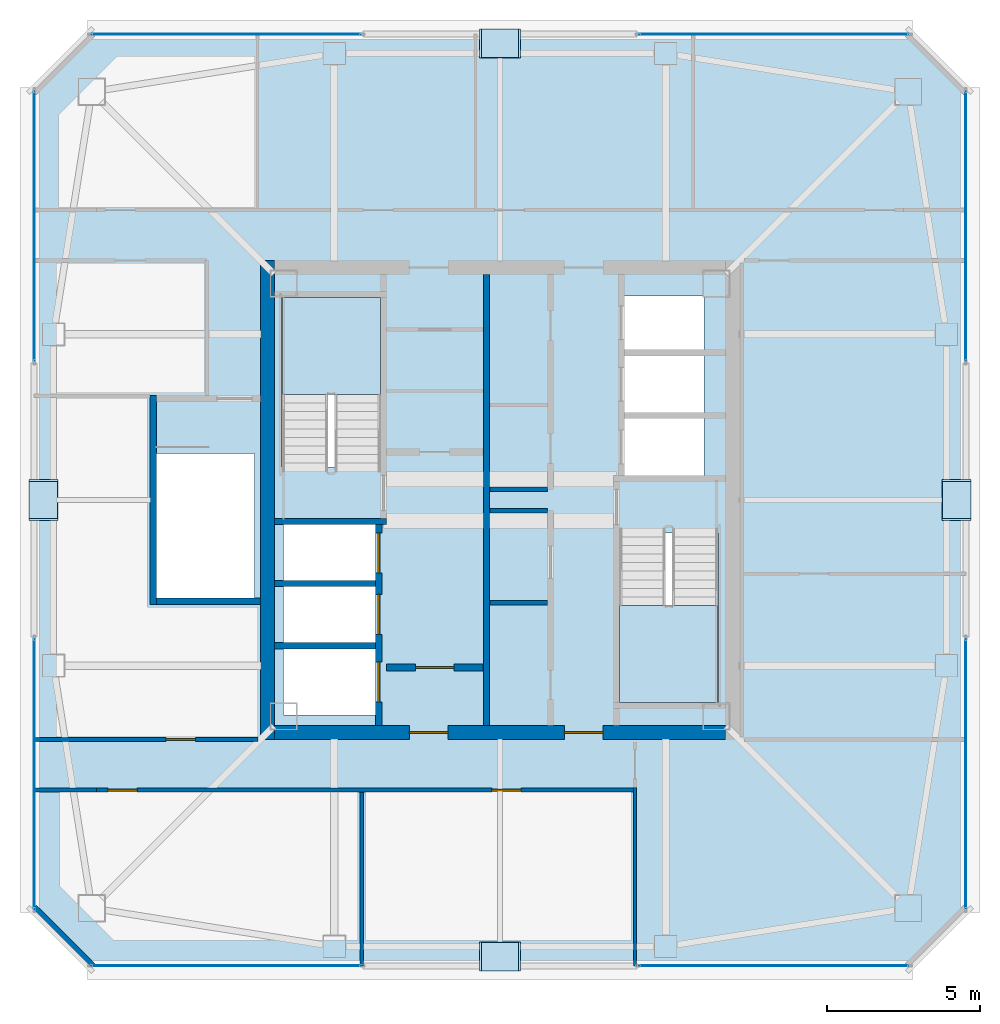
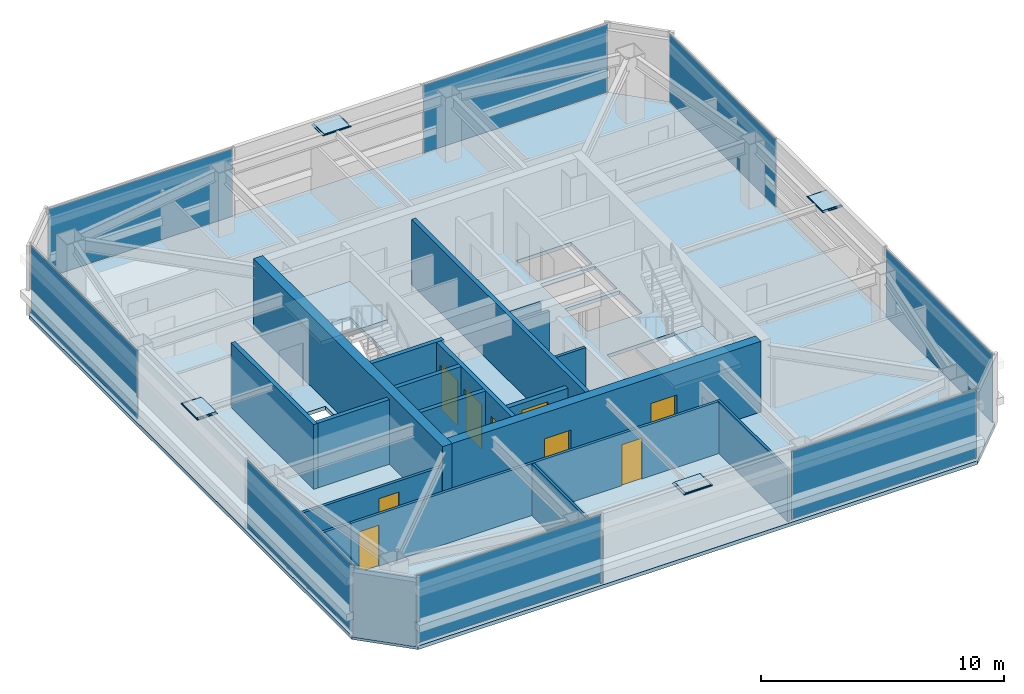
# One storey, part 13 of 18: 19 walls, 16 plates, 9 doors, 3 slabs, 9 openings, 10 elements without a shape of their own.
"""IFC4 building model written with IfcOpenShell, lengths in metres."""

from ifc_helpers import new_model, si_unit, direction, frame, frame_2d, origin, origin_2d, place, context, subcontext, project, spatial, polyline, rectangle, outline, extrude, material, layer, layer_set, type_object, element, fill, aggregate, save


model = new_model("IFC4")

# Units and contexts
model_context = context("Model", 3, precision=1e-05, world=origin(), true_north=direction((0.0, 1.0)))
body_context = subcontext(model_context, "Body", "Model", "MODEL_VIEW")
ifc_project = project(units=[si_unit("LENGTHUNIT", "METRE"), si_unit("AREAUNIT", "SQUARE_METRE"), si_unit("VOLUMEUNIT", "CUBIC_METRE"), si_unit("PLANEANGLEUNIT", "RADIAN"), si_unit("MASSUNIT", "GRAM", prefix="KILO")], contexts=[model_context])

# Site, building, storey
site_placement = place(None, origin())
site = spatial("IfcSite", under=ifc_project, at=site_placement, CompositionType="ELEMENT")
building_placement = place(site_placement, origin())
building = spatial("IfcBuilding", under=site, at=building_placement, Name="Tashvorn Skyway Center", CompositionType="ELEMENT")
storey_placement = place(building_placement, frame((0.0, 0.0, 274.050048828125)))
storey = spatial("IfcBuildingStorey", under=building, at=storey_placement, Name="L74", CompositionType="ELEMENT", Elevation=274.050048828125)

# Curtain wall, plate
ifc_material_1 = material(Name="Thermally broken bronze-anodized aluminium 6063-T6", Category="aluminium")
curtain_wall_type = type_object("IfcCurtainWallType", Name="CW-CW-Z5", PredefinedType="NOTDEFINED", material=ifc_material_1)
curtain_wall_1_placement = place(storey_placement, origin())
curtain_wall_1 = element("IfcCurtainWall", 1, at=curtain_wall_1_placement, inside=storey, type_object=curtain_wall_type, Name="Tower 1 L74 South Unitised Curtain Wall Glazing Group 1", PredefinedType="NOTDEFINED")
ifc_material_2 = material(Name="Low-E solar-control double insulating safety glass", Category="glass")
ifc_layer_1 = layer(ifc_material_2, 0.031982421875)
ifc_layer_set_1 = layer_set([ifc_layer_1], Name="Low-E solar-control double insulating safety glass")
plate_type_1 = type_object("IfcPlateType", Name="CWP-CW-Z5", PredefinedType="CURTAIN_PANEL", material=ifc_layer_set_1)
plate_1_placement = place(storey_placement, frame((50.919921875, 16.820068359375, 0.06982421875), z_axis=(0.0, 0.0, 1.0), x_axis=(-1.0, 0.0, 0.0)))
plate_1 = element("IfcPlate", 2, at=plate_1_placement, type_object=plate_type_1, Name="CW-Z5 panel 1.1", PredefinedType="CURTAIN_PANEL", context=body_context, shape_type="SweptSolid", body=[
    extrude(rectangle(XDim=8.780029296875, YDim=0.031982421875, at=origin_2d()), origin(), (0.0, 0.0, 1.0), 3.409912109375),
])
aggregate(curtain_wall_1, [plate_1])

curtain_wall_2_placement = place(storey_placement, origin())
curtain_wall_2 = element("IfcCurtainWall", 3, at=curtain_wall_2_placement, inside=storey, type_object=curtain_wall_type, Name="Tower 1 L74 South Unitised Curtain Wall Glazing Group 2", PredefinedType="NOTDEFINED")
plate_2_placement = place(storey_placement, frame((33.080078125, 16.820068359375, 0.06982421875), z_axis=(0.0, 0.0, 1.0), x_axis=(-1.0, 0.0, 0.0)))
plate_2 = element("IfcPlate", 4, at=plate_2_placement, type_object=plate_type_1, Name="CW-Z5 panel 1.1", PredefinedType="CURTAIN_PANEL", context=body_context, shape_type="SweptSolid", body=[
    extrude(rectangle(XDim=8.780029296875, YDim=0.031982421875, at=origin_2d()), origin(), (0.0, 0.0, 1.0), 3.409912109375),
])
aggregate(curtain_wall_2, [plate_2])

curtain_wall_3_placement = place(storey_placement, origin())
curtain_wall_3 = element("IfcCurtainWall", 5, at=curtain_wall_3_placement, inside=storey, type_object=curtain_wall_type, Name="Tower 1 L74 West Unitised Curtain Wall Glazing Group 1", PredefinedType="NOTDEFINED")
plate_3_placement = place(storey_placement, frame((26.820068359375, 23.080078125, 0.06982421875), z_axis=(0.0, 0.0, 1.0), x_axis=(0.0, 1.0, 0.0)))
plate_3 = element("IfcPlate", 6, at=plate_3_placement, type_object=plate_type_1, Name="CW-Z5 panel 1.1", PredefinedType="CURTAIN_PANEL", context=body_context, shape_type="SweptSolid", body=[
    extrude(rectangle(XDim=8.780029296875, YDim=0.031982421875, at=origin_2d()), origin(), (0.0, 0.0, 1.0), 3.409912109375),
])
aggregate(curtain_wall_3, [plate_3])

curtain_wall_4_placement = place(storey_placement, origin())
curtain_wall_4 = element("IfcCurtainWall", 7, at=curtain_wall_4_placement, inside=storey, type_object=curtain_wall_type, Name="Tower 1 L74 West Unitised Curtain Wall Glazing Group 2", PredefinedType="NOTDEFINED")
plate_4_placement = place(storey_placement, frame((26.820068359375, 40.919921875, 0.06982421875), z_axis=(0.0, 0.0, 1.0), x_axis=(0.0, 1.0, 0.0)))
plate_4 = element("IfcPlate", 8, at=plate_4_placement, type_object=plate_type_1, Name="CW-Z5 panel 1.1", PredefinedType="CURTAIN_PANEL", context=body_context, shape_type="SweptSolid", body=[
    extrude(rectangle(XDim=8.780029296875, YDim=0.031982421875, at=origin_2d()), origin(), (0.0, 0.0, 1.0), 3.409912109375),
])
aggregate(curtain_wall_4, [plate_4])

curtain_wall_5_placement = place(storey_placement, origin())
curtain_wall_5 = element("IfcCurtainWall", 9, at=curtain_wall_5_placement, inside=storey, type_object=curtain_wall_type, Name="Tower 1 L74 North Unitised Curtain Wall Glazing Group 1", PredefinedType="NOTDEFINED")
plate_5_placement = place(storey_placement, frame((33.080078125, 47.179931640625, 0.06982421875), z_axis=(0.0, 0.0, 1.0), x_axis=(1.0, 0.0, 0.0)))
plate_5 = element("IfcPlate", 10, at=plate_5_placement, type_object=plate_type_1, Name="CW-Z5 panel 1.1", PredefinedType="CURTAIN_PANEL", context=body_context, shape_type="SweptSolid", body=[
    extrude(rectangle(XDim=8.780029296875, YDim=0.031982421875, at=origin_2d()), origin(), (0.0, 0.0, 1.0), 3.409912109375),
])
aggregate(curtain_wall_5, [plate_5])

curtain_wall_6_placement = place(storey_placement, origin())
curtain_wall_6 = element("IfcCurtainWall", 11, at=curtain_wall_6_placement, inside=storey, type_object=curtain_wall_type, Name="Tower 1 L74 North Unitised Curtain Wall Glazing Group 2", PredefinedType="NOTDEFINED")
plate_6_placement = place(storey_placement, frame((50.919921875, 47.179931640625, 0.06982421875), z_axis=(0.0, 0.0, 1.0), x_axis=(1.0, 0.0, 0.0)))
plate_6 = element("IfcPlate", 12, at=plate_6_placement, type_object=plate_type_1, Name="CW-Z5 panel 1.1", PredefinedType="CURTAIN_PANEL", context=body_context, shape_type="SweptSolid", body=[
    extrude(rectangle(XDim=8.780029296875, YDim=0.031982421875, at=origin_2d()), origin(), (0.0, 0.0, 1.0), 3.409912109375),
])
aggregate(curtain_wall_6, [plate_6])

curtain_wall_7_placement = place(storey_placement, origin())
curtain_wall_7 = element("IfcCurtainWall", 13, at=curtain_wall_7_placement, inside=storey, type_object=curtain_wall_type, Name="Tower 1 L74 East Unitised Curtain Wall Glazing Group 1", PredefinedType="NOTDEFINED")
plate_7_placement = place(storey_placement, frame((57.179931640625, 40.919921875, 0.06982421875), z_axis=(0.0, 0.0, 1.0), x_axis=(0.0, -1.0, 0.0)))
plate_7 = element("IfcPlate", 14, at=plate_7_placement, type_object=plate_type_1, Name="CW-Z5 panel 1.1", PredefinedType="CURTAIN_PANEL", context=body_context, shape_type="SweptSolid", body=[
    extrude(rectangle(XDim=8.780029296875, YDim=0.031982421875, at=origin_2d()), origin(), (0.0, 0.0, 1.0), 3.409912109375),
])
aggregate(curtain_wall_7, [plate_7])

curtain_wall_8_placement = place(storey_placement, origin())
curtain_wall_8 = element("IfcCurtainWall", 15, at=curtain_wall_8_placement, inside=storey, type_object=curtain_wall_type, Name="Tower 1 L74 East Unitised Curtain Wall Glazing Group 2", PredefinedType="NOTDEFINED")
plate_8_placement = place(storey_placement, frame((57.179931640625, 23.080078125, 0.06982421875), z_axis=(0.0, 0.0, 1.0), x_axis=(0.0, -1.0, 0.0)))
plate_8 = element("IfcPlate", 16, at=plate_8_placement, type_object=plate_type_1, Name="CW-Z5 panel 1.1", PredefinedType="CURTAIN_PANEL", context=body_context, shape_type="SweptSolid", body=[
    extrude(rectangle(XDim=8.780029296875, YDim=0.031982421875, at=origin_2d()), origin(), (0.0, 0.0, 1.0), 3.409912109375),
])
aggregate(curtain_wall_8, [plate_8])

# Plates
ifc_material_3 = material(Name="Steel ASTM A572 Grade 50", Category="steel")
ifc_layer_2 = layer(ifc_material_3, 0.034912109375)
ifc_layer_set_2 = layer_set([ifc_layer_2], Name="Steel ASTM A572 Grade 50")
plate_type_2 = type_object("IfcPlateType", Name="PLT-CAP-35", PredefinedType="USERDEFINED", material=ifc_layer_set_2)
for number, where, z_axis, x_axis, name in (
    (17, (42.0, 17.1201171875, 3.2373046875), (0.0, 0.0, 1.0), (1.0, 0.0, 0.0), "Tower 1 Zone 7 S Hollow-Section End Cap Plate"),
    (18, (56.8798828125, 32.0, 3.2373046875), (0.0, 0.0, 1.0), (0.0, 1.0, 0.0), "Tower 1 Zone 7 E Hollow-Section End Cap Plate"),
    (19, (42.0, 46.8798828125, 3.2373046875), (0.0, 0.0, 1.0), (-1.0, 0.0, 0.0), "Tower 1 Zone 7 N Hollow-Section End Cap Plate"),
    (20, (27.1201171875, 32.0, 3.2373046875), (0.0, 0.0, 1.0), (0.0, -1.0, 0.0), "Tower 1 Zone 7 W Hollow-Section End Cap Plate"),
):
    element("IfcPlate", number, at=place(storey_placement, frame(where, z_axis=z_axis, x_axis=x_axis)), inside=storey, type_object=plate_type_2, Name=name, ObjectType="END PLATE", PredefinedType="USERDEFINED", context=body_context, shape_type="SweptSolid", body=[
        extrude(rectangle(XDim=1.199951171875, YDim=0.919921875, at=origin_2d()), origin(), (0.0, 0.0, 1.0), 0.034912109375),
    ])
ifc_layer_3 = layer(ifc_material_3, 0.044921875)
ifc_layer_set_3 = layer_set([ifc_layer_3], Name="Steel ASTM A572 Grade 50")
plate_type_3 = type_object("IfcPlateType", Name="PLT-GUSSET-45", PredefinedType="USERDEFINED", material=ifc_layer_set_3)
for number, where, z_axis, x_axis, name in (
    (21, (42.0, 17.1201171875, 3.1923828125), (0.0, 0.0, 1.0), (1.0, 0.0, 0.0), "Tower 1 Zone 7 S Apex Node Gusset Plate"),
    (22, (56.8798828125, 32.0, 3.1923828125), (0.0, 0.0, 1.0), (0.0, 1.0, 0.0), "Tower 1 Zone 7 E Apex Node Gusset Plate"),
    (23, (42.0, 46.8798828125, 3.1923828125), (0.0, 0.0, 1.0), (-1.0, 0.0, 0.0), "Tower 1 Zone 7 N Apex Node Gusset Plate"),
    (24, (27.1201171875, 32.0, 3.1923828125), (0.0, 0.0, 1.0), (0.0, -1.0, 0.0), "Tower 1 Zone 7 W Apex Node Gusset Plate"),
):
    element("IfcPlate", number, at=place(storey_placement, frame(where, z_axis=z_axis, x_axis=x_axis)), inside=storey, type_object=plate_type_3, Name=name, ObjectType="GUSSET PLATE", PredefinedType="USERDEFINED", context=body_context, shape_type="SweptSolid", body=[
        extrude(rectangle(XDim=1.35009765625, YDim=0.949951171875, at=origin_2d()), origin(), (0.0, 0.0, 1.0), 0.044921875),
    ])

# Slab
ifc_material_4 = material(Name="Concrete C40/50", Category="concrete")
ifc_layer_4 = layer(ifc_material_4, 0.179931640625)
ifc_layer_set_4 = layer_set([ifc_layer_4], Name="Concrete C40/50")
slab_type_1 = type_object("IfcSlabType", Name="SLAB-FLR-180", PredefinedType="FLOOR", material=ifc_layer_set_4)
slab_1_placement = place(storey_placement, frame((0.0, 0.0, -0.179931640625)))
element("IfcSlab", 25, at=slab_1_placement, inside=storey, type_object=slab_type_1, Name="Tower 1 L74 Composite Floor Slab", PredefinedType="FLOOR", context=body_context, shape_type="SweptSolid", body=[
    extrude(outline(polyline([(28.699951171875, 16.699951171875), (55.300048828125, 16.699951171875), (57.300048828125, 18.699951171875), (57.300048828125, 45.300048828125), (55.300048828125, 47.300048828125), (28.699951171875, 47.300048828125), (26.699951171875, 45.300048828125), (26.699951171875, 18.699951171875), (28.699951171875, 16.699951171875)]), holes=[polyline([(38.10009765625, 33.080078125), (38.10009765625, 38.60009765625), (34.89990234375, 38.60009765625), (34.89990234375, 33.080078125), (38.10009765625, 33.080078125)]), polyline([(45.89990234375, 30.919921875), (45.89990234375, 25.39990234375), (49.10009765625, 25.39990234375), (49.10009765625, 30.919921875), (45.89990234375, 30.919921875)]), polyline([(30.800048828125, 33.52001953125), (30.800048828125, 28.800048828125), (34.0, 28.800048828125), (34.0, 33.52001953125), (30.800048828125, 33.52001953125)]), polyline([(34.949951171875, 29.35009765625), (37.949951171875, 29.35009765625), (37.949951171875, 31.199951171875), (34.949951171875, 31.199951171875), (34.949951171875, 29.35009765625)]), polyline([(34.949951171875, 27.35009765625), (37.949951171875, 27.35009765625), (37.949951171875, 29.199951171875), (34.949951171875, 29.199951171875), (34.949951171875, 27.35009765625)]), polyline([(34.949951171875, 25.0), (37.949951171875, 25.0), (37.949951171875, 27.14990234375), (34.949951171875, 27.14990234375), (34.949951171875, 25.0)]), polyline([(46.050048828125, 32.800048828125), (48.64990234375, 32.800048828125), (48.64990234375, 34.64990234375), (46.050048828125, 34.64990234375), (46.050048828125, 32.800048828125)]), polyline([(46.050048828125, 34.85009765625), (48.64990234375, 34.85009765625), (48.64990234375, 36.699951171875), (46.050048828125, 36.699951171875), (46.050048828125, 34.85009765625)]), polyline([(46.050048828125, 36.89990234375), (48.64990234375, 36.89990234375), (48.64990234375, 38.64990234375), (46.050048828125, 38.64990234375), (46.050048828125, 36.89990234375)])]), origin(), (0.0, 0.0, 1.0), 0.179931640625),
])

# Stair, slab
stair_type = type_object("IfcStairType", Name="STAIR-CORE-1500", PredefinedType="HALF_TURN_STAIR", material=ifc_material_4)
stair_1_placement = place(storey_placement, origin())
stair_1 = element("IfcStair", 26, at=stair_1_placement, inside=storey, type_object=stair_type, Name="L74 Tower 1 Exit Stair 1", PredefinedType="HALF_TURN_STAIR")
ifc_layer_5 = layer(ifc_material_4, 0.199951171875)
ifc_layer_set_5 = layer_set([ifc_layer_5], Name="Concrete C40/50")
slab_type_2 = type_object("IfcSlabType", Name="SLAB-LAND-200", PredefinedType="LANDING", material=ifc_layer_set_5)
slab_2_placement = place(storey_placement, frame((0.0, 0.0, 1.574951171875)))
slab_2 = element("IfcSlab", 27, at=slab_2_placement, type_object=slab_type_2, Name="ST-T1-1 landing 1", PredefinedType="LANDING", context=body_context, shape_type="SweptSolid", body=[
    extrude(outline(polyline([(38.10009765625, 35.43994140625), (38.10009765625, 38.60009765625), (34.89990234375, 38.60009765625), (34.89990234375, 35.43994140625), (38.10009765625, 35.43994140625)])), origin(), (0.0, 0.0, 1.0), 0.199951171875),
])
aggregate(stair_1, [slab_2])

stair_2_placement = place(storey_placement, origin())
stair_2 = element("IfcStair", 28, at=stair_2_placement, inside=storey, type_object=stair_type, Name="L74 Tower 1 Exit Stair 2", PredefinedType="HALF_TURN_STAIR")
slab_3_placement = place(storey_placement, frame((0.0, 0.0, 1.574951171875)))
slab_3 = element("IfcSlab", 29, at=slab_3_placement, type_object=slab_type_2, Name="ST-T1-2 landing 1", PredefinedType="LANDING", context=body_context, shape_type="SweptSolid", body=[
    extrude(outline(polyline([(45.89990234375, 28.56005859375), (45.89990234375, 25.39990234375), (49.10009765625, 25.39990234375), (49.10009765625, 28.56005859375), (45.89990234375, 28.56005859375)])), origin(), (0.0, 0.0, 1.0), 0.199951171875),
])
aggregate(stair_2, [slab_3])

# Wall
ifc_material_5 = material(Name="Concrete C50/60", Category="concrete")
ifc_layer_6 = layer(ifc_material_5, 0.449951171875)
ifc_layer_set_6 = layer_set([ifc_layer_6], Name="Concrete C50/60")
wall_type_1 = type_object("IfcWallType", Name="WALL-CORE-450", PredefinedType="SHEAR", material=ifc_layer_set_6)
wall_1_placement = place(storey_placement, frame((34.425048828125, 24.199951171875, 0.0), z_axis=(0.0, 0.0, 1.0), x_axis=(0.0, 1.0, 0.0)))
element("IfcWall", 30, at=wall_1_placement, inside=storey, type_object=wall_type_1, Name="Tower 1 L74 West Core Shear Wall", PredefinedType="SHEAR", context=body_context, shape_type="SweptSolid", body=[
    extrude(rectangle(XDim=15.60009765625, YDim=0.449951171875, at=frame_2d((7.800048828125, 0.0))), origin(), (0.0, 0.0, 1.0), 3.550048828125),
])

# Wall, openings, doors
wall_2_placement = place(storey_placement, frame((49.35009765625, 24.425048828125, 0.0), z_axis=(0.0, 0.0, 1.0), x_axis=(-1.0, 0.0, 0.0)))
wall_2 = element("IfcWall", 31, at=wall_2_placement, inside=storey, type_object=wall_type_1, Name="Tower 1 L74 South Core Shear Wall", PredefinedType="SHEAR", context=body_context, shape_type="SweptSolid", body=[
    extrude(rectangle(XDim=14.7001953125, YDim=0.449951171875, at=frame_2d((7.35009765625, 0.0))), origin(), (0.0, 0.0, 1.0), 3.550048828125),
])
opening_1_placement = place(wall_2_placement, frame((9.050048828125, 0.0, 0.0)))
opening_1 = element("IfcOpeningElement", 32, at=opening_1_placement, cuts=wall_2, Name="Opening D-FFL-1250", PredefinedType="OPENING", context=body_context, shape_type="SweptSolid", body=[
    extrude(rectangle(XDim=1.25, YDim=2.25, at=frame_2d((0.625, 1.125))), frame((0.0, 0.23486328125, 0.0), z_axis=(0.0, -1.0, 0.0), x_axis=(1.0, 0.0, 0.0)), (0.0, 0.0, 1.0), 0.469970703125),
])
opening_2_placement = place(wall_2_placement, frame((4.0, 0.0, 0.0)))
opening_2 = element("IfcOpeningElement", 33, at=opening_2_placement, cuts=wall_2, Name="Opening D-FFL-1250", PredefinedType="OPENING", context=body_context, shape_type="SweptSolid", body=[
    extrude(rectangle(XDim=1.25, YDim=2.25, at=frame_2d((0.625, 1.125))), frame((0.0, 0.23486328125, 0.0), z_axis=(0.0, -1.0, 0.0), x_axis=(1.0, 0.0, 0.0)), (0.0, 0.0, 1.0), 0.469970703125),
])
ifc_material_6 = material(Name="Hollow galvanized steel fire door assembly", Category="steel")
door_type_1 = type_object("IfcDoorType", Name="DOOR-FFL-1250", OperationType="NOTDEFINED", PredefinedType="DOOR", material=ifc_material_6)
door_1_placement = place(opening_1_placement, origin())
door_1 = element("IfcDoor", 34, at=door_1_placement, inside=storey, type_object=door_type_1, Name="Tower 1 L74 Core South Firefighting Exit Door", OperationType="SINGLE_SWING_LEFT", OverallHeight=2.25, OverallWidth=1.25, PredefinedType="DOOR", context=body_context, shape_type="SweptSolid", body=[
    extrude(rectangle(XDim=1.25, YDim=2.25, at=frame_2d((0.625, 1.125))), frame((0.0, 0.02490234375, 0.0), z_axis=(0.0, -1.0, 0.0), x_axis=(1.0, 0.0, 0.0)), (0.0, 0.0, 1.0), 0.050048828125),
])
fill(opening_1, door_1)
door_2_placement = place(opening_2_placement, origin())
door_2 = element("IfcDoor", 35, at=door_2_placement, inside=storey, type_object=door_type_1, Name="Tower 1 L74 Core South Lift Lobby Door", OperationType="SINGLE_SWING_RIGHT", OverallHeight=2.25, OverallWidth=1.25, PredefinedType="DOOR", context=body_context, shape_type="SweptSolid", body=[
    extrude(rectangle(XDim=1.25, YDim=2.25, at=frame_2d((0.625, 1.125))), frame((0.0, 0.02490234375, 0.0), z_axis=(0.0, -1.0, 0.0), x_axis=(1.0, 0.0, 0.0)), (0.0, 0.0, 1.0), 0.050048828125),
])
fill(opening_2, door_2)

# Wall
ifc_material_7 = material(Name="Precast concrete C40/50", Category="concrete")
ifc_layer_7 = layer(ifc_material_7, 0.280029296875)
ifc_layer_set_7 = layer_set([ifc_layer_7], Name="Precast concrete C40/50")
wall_type_2 = type_object("IfcWallType", Name="WALL-EXT-280", PredefinedType="SOLIDWALL", material=ifc_layer_set_7)
wall_3_placement = place(storey_placement, frame((28.699951171875, 16.800048828125, 0.0), z_axis=(0.0, 0.0, 1.0), x_axis=(-0.707106781187, 0.707106781187, 0.0)))
element("IfcWall", 36, at=wall_3_placement, inside=storey, type_object=wall_type_2, Name="Tower 1 L74 SW Precast Chamfer Wall", PredefinedType="SOLIDWALL", context=body_context, shape_type="SweptSolid", body=[
    extrude(rectangle(XDim=2.686767578125, YDim=0.280029296875, at=frame_2d((1.34326171875, 0.0))), origin(), (0.0, 0.0, 1.0), 3.25),
])

# Wall, opening, door
ifc_layer_8 = layer(ifc_material_4, 0.219970703125)
ifc_layer_set_8 = layer_set([ifc_layer_8], Name="Concrete C40/50")
wall_type_3 = type_object("IfcWallType", Name="WALL-FFL-220", PredefinedType="SOLIDWALL", material=ifc_layer_set_8)
wall_4_placement = place(storey_placement, frame((38.300048828125, 26.5400390625, 0.0), z_axis=(0.0, 0.0, 1.0), x_axis=(1.0, 0.0, 0.0)))
wall_4 = element("IfcWall", 37, at=wall_4_placement, inside=storey, type_object=wall_type_3, Name="Tower 1 L74 Firefighting Lobby South Wall", PredefinedType="SOLIDWALL", context=body_context, shape_type="SweptSolid", body=[
    extrude(rectangle(XDim=3.14990234375, YDim=0.219970703125, at=frame_2d((1.574951171875, 0.0))), origin(), (0.0, 0.0, 1.0), 2.60302734375),
])
opening_3_placement = place(wall_4_placement, frame((0.949951171875, 0.0, 0.0)))
opening_3 = element("IfcOpeningElement", 38, at=opening_3_placement, cuts=wall_4, Name="Opening D-FFL-1250", PredefinedType="OPENING", context=body_context, shape_type="SweptSolid", body=[
    extrude(rectangle(XDim=1.25, YDim=2.25, at=frame_2d((0.625, 1.125))), frame((0.0, 0.119873046875, 0.0), z_axis=(0.0, -1.0, 0.0), x_axis=(1.0, 0.0, 0.0)), (0.0, 0.0, 1.0), 0.239990234375),
])
door_3_placement = place(opening_3_placement, origin())
door_3 = element("IfcDoor", 39, at=door_3_placement, inside=storey, type_object=door_type_1, Name="Tower 1 L74 Firefighting Lobby Egress Door", OperationType="SINGLE_SWING_LEFT", OverallHeight=2.25, OverallWidth=1.25, PredefinedType="DOOR", context=body_context, shape_type="SweptSolid", body=[
    extrude(rectangle(XDim=1.25, YDim=2.25, at=frame_2d((0.625, 1.125))), frame((0.0, 0.02490234375, 0.0), z_axis=(0.0, -1.0, 0.0), x_axis=(1.0, 0.0, 0.0)), (0.0, 0.0, 1.0), 0.050048828125),
])
fill(opening_3, door_3)

# Walls
ifc_material_8 = material(Name="Gypsum board on cold-formed steel stud framing", Category="steel")
ifc_layer_9 = layer(ifc_material_8, 0.110107421875)
ifc_layer_set_9 = layer_set([ifc_layer_9], Name="Gypsum board on cold-formed steel stud framing")
wall_type_4 = type_object("IfcWallType", Name="WALL-PART-110", PredefinedType="PARTITIONING", material=ifc_layer_set_9)
wall_5_placement = place(storey_placement, frame((37.5, 16.820068359375, 0.0), z_axis=(0.0, 0.0, 1.0), x_axis=(0.0, 1.0, 0.0)))
element("IfcWall", 40, at=wall_5_placement, inside=storey, type_object=wall_type_4, Name="Tower 1 L74 South Suite Partition 1", PredefinedType="PARTITIONING", context=body_context, shape_type="SweptSolid", body=[
    extrude(rectangle(XDim=5.64990234375, YDim=0.110107421875, at=frame_2d((2.824951171875, 0.0))), origin(), (0.0, 0.0, 1.0), 2.60302734375),
])
wall_6_placement = place(storey_placement, frame((46.39990234375, 16.820068359375, 0.0), z_axis=(0.0, 0.0, 1.0), x_axis=(0.0, 1.0, 0.0)))
element("IfcWall", 41, at=wall_6_placement, inside=storey, type_object=wall_type_4, Name="Tower 1 L74 South-East Suite Wall", PredefinedType="PARTITIONING", context=body_context, shape_type="SweptSolid", body=[
    extrude(rectangle(XDim=5.809814453125, YDim=0.110107421875, at=frame_2d((2.90478515625, 0.0))), origin(), (0.0, 0.0, 1.0), 2.60302734375),
])

# Wall, openings, doors
ifc_layer_10 = layer(ifc_material_8, 0.135009765625)
ifc_layer_set_10 = layer_set([ifc_layer_10], Name="Gypsum board on cold-formed steel stud framing")
wall_type_5 = type_object("IfcWallType", Name="WALL-PART-135", PredefinedType="PARTITIONING", material=ifc_layer_set_10)
wall_7_placement = place(storey_placement, frame((46.39990234375, 22.550048828125, 0.0), z_axis=(0.0, 0.0, 1.0), x_axis=(-1.0, 0.0, 0.0)))
wall_7 = element("IfcWall", 42, at=wall_7_placement, inside=storey, type_object=wall_type_5, Name="Tower 1 L74 South Suite Wall", PredefinedType="PARTITIONING", context=body_context, shape_type="SweptSolid", body=[
    extrude(rectangle(XDim=17.5498046875, YDim=0.135009765625, at=frame_2d((8.77490234375, 0.0))), origin(), (0.0, 0.0, 1.0), 2.60302734375),
])
opening_4_placement = place(wall_7_placement, frame((16.219970703125, 0.0, 0.0)))
opening_4 = element("IfcOpeningElement", 43, at=opening_4_placement, cuts=wall_7, Name="Opening D-INT-950", PredefinedType="OPENING", context=body_context, shape_type="SweptSolid", body=[
    extrude(rectangle(XDim=0.949951171875, YDim=2.050048828125, at=frame_2d((0.47509765625, 1.02490234375))), frame((0.0, 0.077392578125, 0.0), z_axis=(0.0, -1.0, 0.0), x_axis=(1.0, 0.0, 0.0)), (0.0, 0.0, 1.0), 0.155029296875),
])
opening_5_placement = place(wall_7_placement, frame((3.71826171875, 0.0, 0.0)))
opening_5 = element("IfcOpeningElement", 44, at=opening_5_placement, cuts=wall_7, Name="Opening D-INT-950", PredefinedType="OPENING", context=body_context, shape_type="SweptSolid", body=[
    extrude(rectangle(XDim=0.949951171875, YDim=2.050048828125, at=frame_2d((0.47509765625, 1.02490234375))), frame((0.0, 0.077392578125, 0.0), z_axis=(0.0, -1.0, 0.0), x_axis=(1.0, 0.0, 0.0)), (0.0, 0.0, 1.0), 0.155029296875),
])
ifc_material_9 = material(Name="Solid-core architectural oak veneer door")
door_type_2 = type_object("IfcDoorType", Name="DOOR-INT-950", OperationType="NOTDEFINED", PredefinedType="DOOR", material=ifc_material_9)
door_4_placement = place(opening_4_placement, origin())
door_4 = element("IfcDoor", 45, at=door_4_placement, inside=storey, type_object=door_type_2, Name="Tower 1 L74 Gallery Showroom Door", OperationType="SINGLE_SWING_LEFT", OverallHeight=2.050048828125, OverallWidth=0.949951171875, PredefinedType="DOOR", context=body_context, shape_type="SweptSolid", body=[
    extrude(rectangle(XDim=0.949951171875, YDim=2.050048828125, at=frame_2d((0.47509765625, 1.02490234375))), frame((0.0, 0.02490234375, 0.0), z_axis=(0.0, -1.0, 0.0), x_axis=(1.0, 0.0, 0.0)), (0.0, 0.0, 1.0), 0.050048828125),
])
fill(opening_4, door_4)
door_5_placement = place(opening_5_placement, origin())
door_5 = element("IfcDoor", 46, at=door_5_placement, inside=storey, type_object=door_type_2, Name="Tower 1 L74 Catering Pantry Door", OperationType="SINGLE_SWING_RIGHT", OverallHeight=2.050048828125, OverallWidth=0.949951171875, PredefinedType="DOOR", context=body_context, shape_type="SweptSolid", body=[
    extrude(rectangle(XDim=0.949951171875, YDim=2.050048828125, at=frame_2d((0.47509765625, 1.02490234375))), frame((0.0, 0.02490234375, 0.0), z_axis=(0.0, -1.0, 0.0), x_axis=(1.0, 0.0, 0.0)), (0.0, 0.0, 1.0), 0.050048828125),
])
fill(opening_5, door_5)

# Wall
wall_8_placement = place(storey_placement, frame((26.820068359375, 22.550048828125, 0.0), z_axis=(0.0, 0.0, 1.0), x_axis=(1.0, 0.0, 0.0)))
element("IfcWall", 47, at=wall_8_placement, inside=storey, type_object=wall_type_5, Name="Tower 1 L74 South-West Suite North Wall", PredefinedType="PARTITIONING", context=body_context, shape_type="SweptSolid", body=[
    extrude(rectangle(XDim=2.030029296875, YDim=0.135009765625, at=frame_2d((1.01513671875, 0.0))), origin(), (0.0, 0.0, 1.0), 2.60302734375),
])

# Wall, opening, door
wall_9_placement = place(storey_placement, frame((26.820068359375, 24.199951171875, 0.0), z_axis=(0.0, 0.0, 1.0), x_axis=(1.0, 0.0, 0.0)))
wall_9 = element("IfcWall", 48, at=wall_9_placement, inside=storey, type_object=wall_type_5, Name="Tower 1 L74 West Suite South Wall", PredefinedType="PARTITIONING", context=body_context, shape_type="SweptSolid", body=[
    extrude(rectangle(XDim=7.300048828125, YDim=0.135009765625, at=frame_2d((3.64990234375, 0.0))), origin(), (0.0, 0.0, 1.0), 2.60302734375),
])
opening_6_placement = place(wall_9_placement, frame((4.304931640625, 0.0, 0.0)))
opening_6 = element("IfcOpeningElement", 49, at=opening_6_placement, cuts=wall_9, Name="Opening D-INT-950", PredefinedType="OPENING", context=body_context, shape_type="SweptSolid", body=[
    extrude(rectangle(XDim=0.949951171875, YDim=2.050048828125, at=frame_2d((0.47509765625, 1.02490234375))), frame((0.0, 0.077392578125, 0.0), z_axis=(0.0, -1.0, 0.0), x_axis=(1.0, 0.0, 0.0)), (0.0, 0.0, 1.0), 0.155029296875),
])
door_6_placement = place(opening_6_placement, origin())
door_6 = element("IfcDoor", 50, at=door_6_placement, inside=storey, type_object=door_type_2, Name="Tower 1 L74 Public Restroom Door", OperationType="SINGLE_SWING_LEFT", OverallHeight=2.050048828125, OverallWidth=0.949951171875, PredefinedType="DOOR", context=body_context, shape_type="SweptSolid", body=[
    extrude(rectangle(XDim=0.949951171875, YDim=2.050048828125, at=frame_2d((0.47509765625, 1.02490234375))), frame((0.0, 0.02490234375, 0.0), z_axis=(0.0, -1.0, 0.0), x_axis=(1.0, 0.0, 0.0)), (0.0, 0.0, 1.0), 0.050048828125),
])
fill(opening_6, door_6)

# Walls
ifc_layer_11 = layer(ifc_material_8, 0.135009765625)
ifc_layer_set_11 = layer_set([ifc_layer_11], Name="Gypsum board on cold-formed steel stud framing")
wall_type_6 = type_object("IfcWallType", Name="WALL-RATED-135", PredefinedType="PARTITIONING", material=ifc_layer_set_11)
for number, where, z_axis, x_axis, name in (
    (51, (41.669921875, 31.64990234375, 0.0), (0.0, 0.0, 1.0), (1.0, 0.0, 0.0), "Tower 1 L74 Core Room Partition"),
    (52, (41.669921875, 28.64990234375, 0.0), (0.0, 0.0, 1.0), (1.0, 0.0, 0.0), "Tower 1 L74 Freed Core Partition"),
    (53, (41.669921875, 32.35009765625, 0.0), (0.0, 0.0, 1.0), (1.0, 0.0, 0.0), "Tower 1 L74 Core Room Partition"),
):
    element("IfcWall", number, at=place(storey_placement, frame(where, z_axis=z_axis, x_axis=x_axis)), inside=storey, type_object=wall_type_6, Name=name, PredefinedType="PARTITIONING", context=body_context, shape_type="SweptSolid", body=[
        extrude(rectangle(XDim=1.880126953125, YDim=0.135009765625, at=frame_2d((0.93994140625, 0.0))), origin(), (0.0, 0.0, 1.0), 2.60302734375),
    ])
ifc_layer_12 = layer(ifc_material_4, 0.199951171875)
ifc_layer_set_12 = layer_set([ifc_layer_12], Name="Concrete C40/50")
wall_type_7 = type_object("IfcWallType", Name="WALL-SHAFT-200", PredefinedType="SOLIDWALL", material=ifc_layer_set_12)
for number, where, z_axis, x_axis, name in (
    (54, (34.64990234375, 27.25, 0.0), (0.0, 0.0, 1.0), (1.0, 0.0, 0.0), "Tower 1 L74 FSAE Shaft Divider"),
    (55, (34.64990234375, 29.280029296875, 0.0), (0.0, 0.0, 1.0), (1.0, 0.0, 0.0), "Tower 1 L74 FSAE Shaft Divider"),
):
    element("IfcWall", number, at=place(storey_placement, frame(where, z_axis=z_axis, x_axis=x_axis)), inside=storey, type_object=wall_type_7, Name=name, PredefinedType="SOLIDWALL", context=body_context, shape_type="SweptSolid", body=[
        extrude(rectangle(XDim=3.300048828125, YDim=0.199951171875, at=frame_2d((1.64990234375, 0.0))), origin(), (0.0, 0.0, 1.0), 3.25),
    ])
ifc_layer_13 = layer(ifc_material_4, 0.199951171875)
ifc_layer_set_13 = layer_set([ifc_layer_13], Name="Concrete C40/50")
wall_type_8 = type_object("IfcWallType", Name="WALL-STSHF-200", PredefinedType="SHEAR", material=ifc_layer_set_13)
wall_10_placement = place(storey_placement, frame((34.64990234375, 31.300048828125, 0.0), z_axis=(0.0, 0.0, 1.0), x_axis=(1.0, 0.0, 0.0)))
element("IfcWall", 56, at=wall_10_placement, inside=storey, type_object=wall_type_8, Name="Tower 1 L74 Stair 1 South Wall", PredefinedType="SHEAR", context=body_context, shape_type="SweptSolid", body=[
    extrude(rectangle(XDim=3.650146484375, YDim=0.199951171875, at=frame_2d((1.8251953125, 0.0))), origin(), (0.0, 0.0, 1.0), 3.25),
])
wall_11_placement = place(storey_placement, frame((41.56005859375, 24.64990234375, 0.0), z_axis=(0.0, 0.0, 1.0), x_axis=(0.0, 1.0, 0.0)))
element("IfcWall", 57, at=wall_11_placement, inside=storey, type_object=wall_type_8, Name="Tower 1 L74 Firefighting Lobby East Smoke Barrier", PredefinedType="SHEAR", context=body_context, shape_type="SweptSolid", body=[
    extrude(rectangle(XDim=14.7001953125, YDim=0.199951171875, at=frame_2d((7.35009765625, 0.0))), origin(), (0.0, 0.0, 1.0), 3.25),
])

# Wall, openings, doors
wall_12_placement = place(storey_placement, frame((38.050048828125, 24.64990234375, 0.0), z_axis=(0.0, 0.0, 1.0), x_axis=(0.0, 1.0, 0.0)))
wall_12 = element("IfcWall", 58, at=wall_12_placement, inside=storey, type_object=wall_type_8, Name="Tower 1 L74 FSAE and Goods Shaft Front Wall", PredefinedType="SHEAR", context=body_context, shape_type="SweptSolid", body=[
    extrude(rectangle(XDim=6.550048828125, YDim=0.199951171875, at=frame_2d((3.27490234375, 0.0))), origin(), (0.0, 0.0, 1.0), 3.25),
])
opening_7_placement = place(wall_12_placement, frame((4.97509765625, 0.0, 0.0)))
opening_7 = element("IfcOpeningElement", 59, at=opening_7_placement, cuts=wall_12, Name="Opening LD-FF-T1-1-L74", PredefinedType="OPENING", context=body_context, shape_type="SweptSolid", body=[
    extrude(rectangle(XDim=1.300048828125, YDim=2.25, at=frame_2d((0.64990234375, 1.125))), frame((0.0, 0.10986328125, 0.0), z_axis=(0.0, -1.0, 0.0), x_axis=(1.0, 0.0, 0.0)), (0.0, 0.0, 1.0), 0.219970703125),
])
opening_8_placement = place(wall_12_placement, frame((2.97509765625, 0.0, 0.0)))
opening_8 = element("IfcOpeningElement", 60, at=opening_8_placement, cuts=wall_12, Name="Opening LD-FF-T1-2-L74", PredefinedType="OPENING", context=body_context, shape_type="SweptSolid", body=[
    extrude(rectangle(XDim=1.300048828125, YDim=2.25, at=frame_2d((0.64990234375, 1.125))), frame((0.0, 0.10986328125, 0.0), z_axis=(0.0, -1.0, 0.0), x_axis=(1.0, 0.0, 0.0)), (0.0, 0.0, 1.0), 0.219970703125),
])
opening_9_placement = place(wall_12_placement, frame((0.77490234375, 0.0, 0.0)))
opening_9 = element("IfcOpeningElement", 61, at=opening_9_placement, cuts=wall_12, Name="Opening LD-GD-T1-1-L74", PredefinedType="OPENING", context=body_context, shape_type="SweptSolid", body=[
    extrude(rectangle(XDim=1.300048828125, YDim=2.25, at=frame_2d((0.64990234375, 1.125))), frame((0.0, 0.10986328125, 0.0), z_axis=(0.0, -1.0, 0.0), x_axis=(1.0, 0.0, 0.0)), (0.0, 0.0, 1.0), 0.219970703125),
])
ifc_material_10 = material(Name="Stainless steel heavy-duty landing door", Category="steel")
door_type_3 = type_object("IfcDoorType", Name="DOOR-LIFT-1300", OperationType="SLIDING_TO_LEFT", PredefinedType="DOOR", material=ifc_material_10)
door_7_placement = place(opening_7_placement, origin())
door_7 = element("IfcDoor", 62, at=door_7_placement, inside=storey, type_object=door_type_3, Name="Lift FF-T1-1 L74 Landing Door", OperationType="SLIDING_TO_LEFT", OverallHeight=2.25, OverallWidth=1.300048828125, PredefinedType="DOOR", context=body_context, shape_type="SweptSolid", body=[
    extrude(rectangle(XDim=1.300048828125, YDim=2.25, at=frame_2d((0.64990234375, 1.125))), frame((0.0, 0.02490234375, 0.0), z_axis=(0.0, -1.0, 0.0), x_axis=(1.0, 0.0, 0.0)), (0.0, 0.0, 1.0), 0.050048828125),
])
fill(opening_7, door_7)
door_8_placement = place(opening_8_placement, origin())
door_8 = element("IfcDoor", 63, at=door_8_placement, inside=storey, type_object=door_type_3, Name="Lift FF-T1-2 L74 Landing Door", OperationType="SLIDING_TO_LEFT", OverallHeight=2.25, OverallWidth=1.300048828125, PredefinedType="DOOR", context=body_context, shape_type="SweptSolid", body=[
    extrude(rectangle(XDim=1.300048828125, YDim=2.25, at=frame_2d((0.64990234375, 1.125))), frame((0.0, 0.02490234375, 0.0), z_axis=(0.0, -1.0, 0.0), x_axis=(1.0, 0.0, 0.0)), (0.0, 0.0, 1.0), 0.050048828125),
])
fill(opening_8, door_8)
door_9_placement = place(opening_9_placement, origin())
door_9 = element("IfcDoor", 64, at=door_9_placement, inside=storey, type_object=door_type_3, Name="Lift GD-T1-1 L74 Landing Door", OperationType="SLIDING_TO_LEFT", OverallHeight=2.25, OverallWidth=1.300048828125, PredefinedType="DOOR", context=body_context, shape_type="SweptSolid", body=[
    extrude(rectangle(XDim=1.300048828125, YDim=2.25, at=frame_2d((0.64990234375, 1.125))), frame((0.0, 0.02490234375, 0.0), z_axis=(0.0, -1.0, 0.0), x_axis=(1.0, 0.0, 0.0)), (0.0, 0.0, 1.0), 0.050048828125),
])
fill(opening_9, door_9)

# Walls
wall_13_placement = place(storey_placement, frame((30.699951171875, 28.60009765625, 0.0), z_axis=(0.0, 0.0, 1.0), x_axis=(0.0, 1.0, 0.0)))
element("IfcWall", 65, at=wall_13_placement, inside=storey, type_object=wall_type_8, Name="Tower 1 L74 Stair 3 Outer Wall", PredefinedType="SHEAR", context=body_context, shape_type="SweptSolid", body=[
    extrude(rectangle(XDim=6.7998046875, YDim=0.199951171875, at=frame_2d((3.39990234375, 0.0))), origin(), (0.0, 0.0, 1.0), 3.25),
])
wall_14_placement = place(storey_placement, frame((30.800048828125, 28.699951171875, 0.0), z_axis=(0.0, 0.0, 1.0), x_axis=(1.0, 0.0, 0.0)))
element("IfcWall", 66, at=wall_14_placement, inside=storey, type_object=wall_type_8, Name="Tower 1 L74 Stair 3 South Wall", PredefinedType="SHEAR", context=body_context, shape_type="SweptSolid", body=[
    extrude(rectangle(XDim=3.39990234375, YDim=0.199951171875, at=frame_2d((1.699951171875, 0.0))), origin(), (0.0, 0.0, 1.0), 3.25),
])

save(model, "model.ifc")
